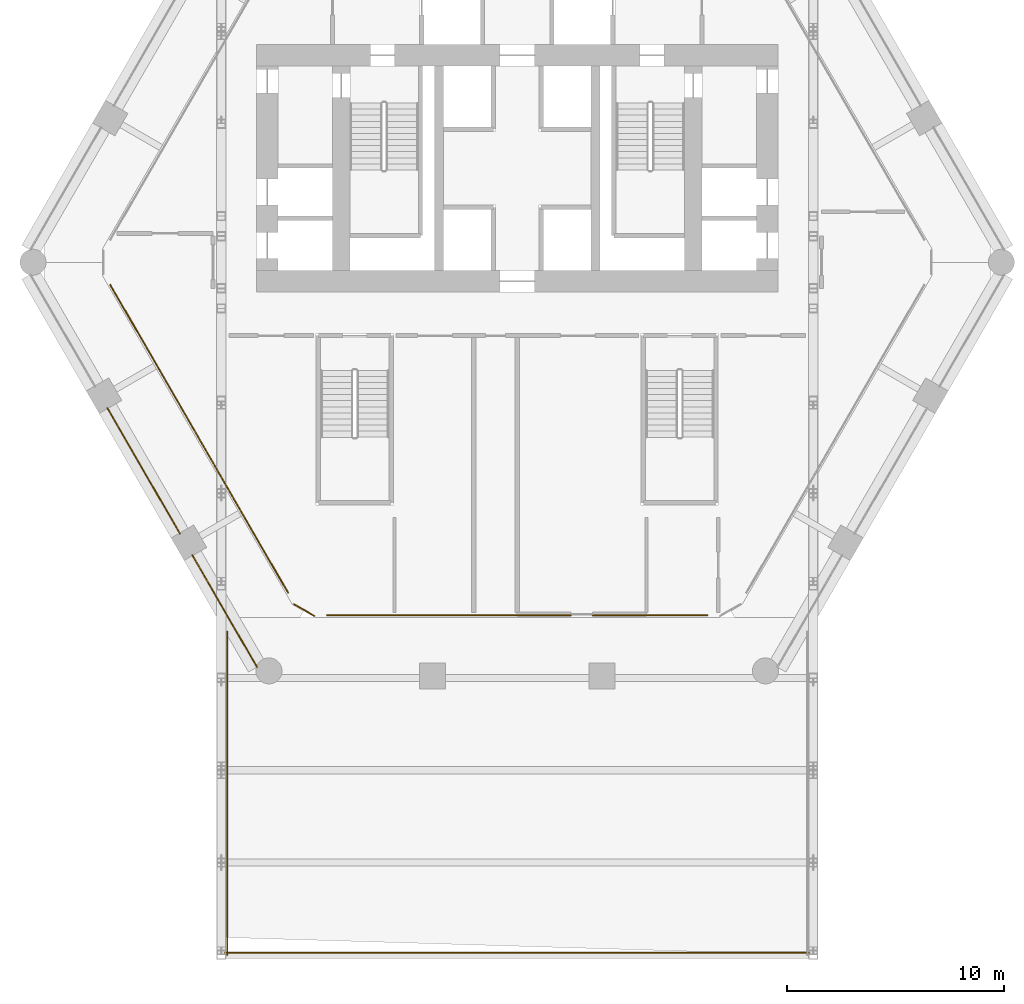
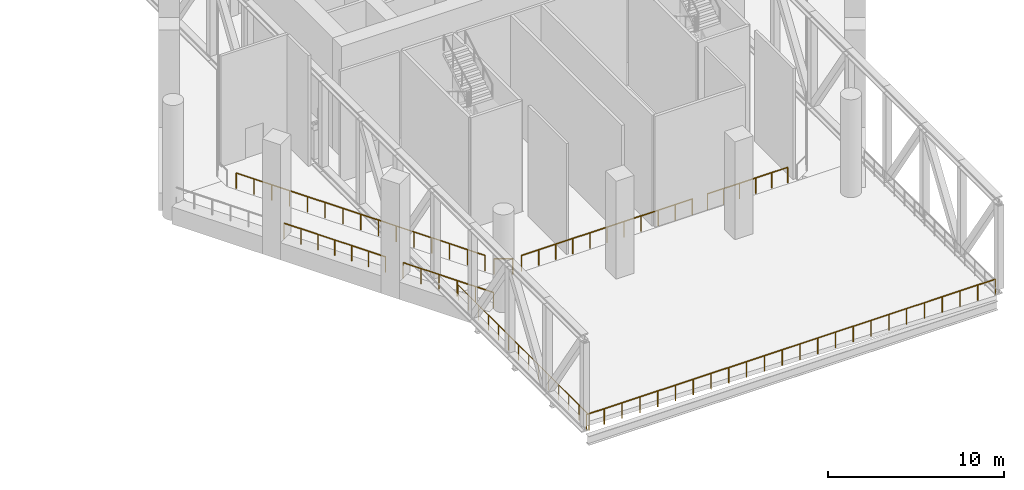
# One storey, part 12 of 16: 8 railings.
"""IFC4 building model written with IfcOpenShell, lengths in metres."""

from ifc_helpers import new_model, si_unit, direction, frame, origin, origin_2d, place, context, subcontext, project, spatial, circle, extrude, material, type_object, element, save


model = new_model("IFC4")

# Units and contexts
model_context = context("Model", 3, precision=1e-05, world=origin(), true_north=direction((0.0, 1.0)))
body_context = subcontext(model_context, "Body", "Model", "MODEL_VIEW")
ifc_project = project(units=[si_unit("LENGTHUNIT", "METRE"), si_unit("AREAUNIT", "SQUARE_METRE"), si_unit("VOLUMEUNIT", "CUBIC_METRE"), si_unit("PLANEANGLEUNIT", "RADIAN"), si_unit("MASSUNIT", "GRAM", prefix="KILO")], contexts=[model_context])

# Site, building, storey
site_placement = place(None, origin())
site = spatial("IfcSite", under=ifc_project, at=site_placement, CompositionType="ELEMENT")
building_placement = place(site_placement, origin())
building = spatial("IfcBuilding", under=site, at=building_placement, Name="Ostrander Bayou Hotel Tower", CompositionType="ELEMENT")
storey_placement = place(building_placement, frame((0.0, 0.0, 108.0)))
storey = spatial("IfcBuildingStorey", under=building, at=storey_placement, Name="L27", CompositionType="ELEMENT", Elevation=108.0)

# Railings
ifc_material = material(Name="Stainless steel and clear glass", Category="steel")
railing_type = type_object("IfcRailingType", Name="GR1 guard 1100 mm", PredefinedType="GUARDRAIL", material=ifc_material)
railing_1_placement = place(storey_placement, frame((-18.85888671875, -7.035400390625, 0.0)))
element("IfcRailing", 1, at=railing_1_placement, inside=storey, type_object=railing_type, Name="GR1 L27 SW-2 open band guard", PredefinedType="GUARDRAIL", context=body_context, shape_type="SweptSolid", body=[
    extrude(circle(Radius=0.02490234375, at=origin_2d()), frame((0.0, 0.0, 1.0751953125), z_axis=(0.499999023957, -0.866025967302, 0.0), x_axis=(0.866025967302, 0.499999023957, 0.0)), (0.0, 0.0, 1.0), 6.67333984375),
    extrude(circle(Radius=0.02001953125, at=origin_2d()), origin(), (0.0, 0.0, 1.0), 1.050048828125),
    extrude(circle(Radius=0.02001953125, at=origin_2d()), frame((0.55615234375, -0.963134765625, 0.0)), (0.0, 0.0, 1.0), 1.050048828125),
    extrude(circle(Radius=0.02001953125, at=origin_2d()), frame((1.1123046875, -1.926513671875, 0.0)), (0.0, 0.0, 1.0), 1.050048828125),
    extrude(circle(Radius=0.02001953125, at=origin_2d()), frame((1.66845703125, -2.8896484375, 0.0)), (0.0, 0.0, 1.0), 1.050048828125),
    extrude(circle(Radius=0.02001953125, at=origin_2d()), frame((2.224365234375, -3.852783203125, 0.0)), (0.0, 0.0, 1.0), 1.050048828125),
    extrude(circle(Radius=0.02001953125, at=origin_2d()), frame((2.780517578125, -4.816162109375, 0.0)), (0.0, 0.0, 1.0), 1.050048828125),
    extrude(circle(Radius=0.02001953125, at=origin_2d()), frame((3.336669921875, -5.779296875, 0.0)), (0.0, 0.0, 1.0), 1.050048828125),
])
railing_2_placement = place(storey_placement, frame((-14.9521484375, -13.802001953125, 0.0)))
element("IfcRailing", 2, at=railing_2_placement, inside=storey, type_object=railing_type, Name="GR1 L27 SW-3 open band guard", PredefinedType="GUARDRAIL", context=body_context, shape_type="SweptSolid", body=[
    extrude(circle(Radius=0.02490234375, at=origin_2d()), frame((0.0, 0.0, 1.0751953125), z_axis=(0.499988630717, -0.866031967744, 0.0), x_axis=(0.866031967744, 0.499988630717, 0.0)), (0.0, 0.0, 1.0), 5.954833984375),
    extrude(circle(Radius=0.02001953125, at=origin_2d()), origin(), (0.0, 0.0, 1.0), 1.050048828125),
    extrude(circle(Radius=0.02001953125, at=origin_2d()), frame((0.595458984375, -1.031494140625, 0.0)), (0.0, 0.0, 1.0), 1.050048828125),
    extrude(circle(Radius=0.02001953125, at=origin_2d()), frame((1.19091796875, -2.062744140625, 0.0)), (0.0, 0.0, 1.0), 1.050048828125),
    extrude(circle(Radius=0.02001953125, at=origin_2d()), frame((1.786376953125, -3.09423828125, 0.0)), (0.0, 0.0, 1.0), 1.050048828125),
    extrude(circle(Radius=0.02001953125, at=origin_2d()), frame((2.3818359375, -4.12548828125, 0.0)), (0.0, 0.0, 1.0), 1.050048828125),
    extrude(circle(Radius=0.02001953125, at=origin_2d()), frame((2.977294921875, -5.156982421875, 0.0)), (0.0, 0.0, 1.0), 1.050048828125),
])
railing_3_placement = place(storey_placement, frame((-10.26806640625, -16.065185546875, 0.0)))
element("IfcRailing", 3, at=railing_3_placement, inside=storey, type_object=railing_type, Name="GR1 L27 corner guard 3", PredefinedType="GUARDRAIL", context=body_context, shape_type="SweptSolid", body=[
    extrude(circle(Radius=0.02490234375, at=origin_2d()), frame((0.0, 0.0, 1.0751953125), z_axis=(0.866048165231, -0.499960573946, 0.0), x_axis=(0.499960573946, 0.866048165231, 0.0)), (0.0, 0.0, 1.0), 1.06494140625),
    extrude(circle(Radius=0.02001953125, at=origin_2d()), origin(), (0.0, 0.0, 1.0), 1.050048828125),
    extrude(circle(Radius=0.02001953125, at=origin_2d()), frame((0.92236328125, -0.532470703125, 0.0)), (0.0, 0.0, 1.0), 1.050048828125),
])
railing_4_placement = place(storey_placement, frame((-10.5458984375, -15.533935546875, 0.0)))
element("IfcRailing", 4, at=railing_4_placement, inside=storey, type_object=railing_type, Name="GR1 L27 edge guard 5", PredefinedType="GUARDRAIL", context=body_context, shape_type="SweptSolid", body=[
    extrude(circle(Radius=0.02490234375, at=origin_2d()), frame((0.0, 0.0, 1.0751953125), z_axis=(-0.500002341209, 0.866024052083, 0.0), x_axis=(-0.866024052083, -0.500002341209, 0.0)), (0.0, 0.0, 1.0), 16.35986328125),
    extrude(circle(Radius=0.02001953125, at=origin_2d()), origin(), (0.0, 0.0, 1.0), 1.050048828125),
    extrude(circle(Radius=0.02001953125, at=origin_2d()), frame((-0.584228515625, 1.011962890625, 0.0)), (0.0, 0.0, 1.0), 1.050048828125),
    extrude(circle(Radius=0.02001953125, at=origin_2d()), frame((-1.16845703125, 2.02392578125, 0.0)), (0.0, 0.0, 1.0), 1.050048828125),
    extrude(circle(Radius=0.02001953125, at=origin_2d()), frame((-1.7529296875, 3.035888671875, 0.0)), (0.0, 0.0, 1.0), 1.050048828125),
    extrude(circle(Radius=0.02001953125, at=origin_2d()), frame((-2.337158203125, 4.048095703125, 0.0)), (0.0, 0.0, 1.0), 1.050048828125),
    extrude(circle(Radius=0.02001953125, at=origin_2d()), frame((-2.92138671875, 5.06005859375, 0.0)), (0.0, 0.0, 1.0), 1.050048828125),
    extrude(circle(Radius=0.02001953125, at=origin_2d()), frame((-3.505615234375, 6.072021484375, 0.0)), (0.0, 0.0, 1.0), 1.050048828125),
    extrude(circle(Radius=0.02001953125, at=origin_2d()), frame((-4.08984375, 7.083984375, 0.0)), (0.0, 0.0, 1.0), 1.050048828125),
    extrude(circle(Radius=0.02001953125, at=origin_2d()), frame((-4.67431640625, 8.095947265625, 0.0)), (0.0, 0.0, 1.0), 1.050048828125),
    extrude(circle(Radius=0.02001953125, at=origin_2d()), frame((-5.258544921875, 9.10791015625, 0.0)), (0.0, 0.0, 1.0), 1.050048828125),
    extrude(circle(Radius=0.02001953125, at=origin_2d()), frame((-5.8427734375, 10.119873046875, 0.0)), (0.0, 0.0, 1.0), 1.050048828125),
    extrude(circle(Radius=0.02001953125, at=origin_2d()), frame((-6.427001953125, 11.132080078125, 0.0)), (0.0, 0.0, 1.0), 1.050048828125),
    extrude(circle(Radius=0.02001953125, at=origin_2d()), frame((-7.011474609375, 12.14404296875, 0.0)), (0.0, 0.0, 1.0), 1.050048828125),
    extrude(circle(Radius=0.02001953125, at=origin_2d()), frame((-7.595703125, 13.156005859375, 0.0)), (0.0, 0.0, 1.0), 1.050048828125),
    extrude(circle(Radius=0.02001953125, at=origin_2d()), frame((-8.179931640625, 14.16796875, 0.0)), (0.0, 0.0, 1.0), 1.050048828125),
])
railing_5_placement = place(storey_placement, frame((-13.34228515625, -17.3173828125, 0.0)))
element("IfcRailing", 5, at=railing_5_placement, inside=storey, type_object=railing_type, Name="GR1 bar roof guard SB2 2", PredefinedType="GUARDRAIL", context=body_context, shape_type="SweptSolid", body=[
    extrude(circle(Radius=0.02490234375, at=origin_2d()), frame((0.0, 0.0, 1.0751953125), z_axis=(0.0, -1.0, 0.0), x_axis=(1.0, 0.0, 0.0)), (0.0, 0.0, 1.0), 14.882568359375),
    extrude(circle(Radius=0.02001953125, at=origin_2d()), origin(), (0.0, 0.0, 1.0), 1.050048828125),
    extrude(circle(Radius=0.02001953125, at=origin_2d()), frame((0.0, -1.144775390625, 0.0)), (0.0, 0.0, 1.0), 1.050048828125),
    extrude(circle(Radius=0.02001953125, at=origin_2d()), frame((0.0, -2.28955078125, 0.0)), (0.0, 0.0, 1.0), 1.050048828125),
    extrude(circle(Radius=0.02001953125, at=origin_2d()), frame((0.0, -3.434326171875, 0.0)), (0.0, 0.0, 1.0), 1.050048828125),
    extrude(circle(Radius=0.02001953125, at=origin_2d()), frame((0.0, -4.579345703125, 0.0)), (0.0, 0.0, 1.0), 1.050048828125),
    extrude(circle(Radius=0.02001953125, at=origin_2d()), frame((0.0, -5.72412109375, 0.0)), (0.0, 0.0, 1.0), 1.050048828125),
    extrude(circle(Radius=0.02001953125, at=origin_2d()), frame((0.0, -6.868896484375, 0.0)), (0.0, 0.0, 1.0), 1.050048828125),
    extrude(circle(Radius=0.02001953125, at=origin_2d()), frame((0.0, -8.013671875, 0.0)), (0.0, 0.0, 1.0), 1.050048828125),
    extrude(circle(Radius=0.02001953125, at=origin_2d()), frame((0.0, -9.158447265625, 0.0)), (0.0, 0.0, 1.0), 1.050048828125),
    extrude(circle(Radius=0.02001953125, at=origin_2d()), frame((0.0, -10.30322265625, 0.0)), (0.0, 0.0, 1.0), 1.050048828125),
    extrude(circle(Radius=0.02001953125, at=origin_2d()), frame((0.0, -11.4482421875, 0.0)), (0.0, 0.0, 1.0), 1.050048828125),
    extrude(circle(Radius=0.02001953125, at=origin_2d()), frame((0.0, -12.593017578125, 0.0)), (0.0, 0.0, 1.0), 1.050048828125),
    extrude(circle(Radius=0.02001953125, at=origin_2d()), frame((0.0, -13.73779296875, 0.0)), (0.0, 0.0, 1.0), 1.050048828125),
    extrude(circle(Radius=0.02001953125, at=origin_2d()), frame((0.0, -14.882568359375, 0.0)), (0.0, 0.0, 1.0), 1.050048828125),
])
railing_6_placement = place(storey_placement, frame((-13.442138671875, -32.10009765625, 0.0)))
element("IfcRailing", 6, at=railing_6_placement, inside=storey, type_object=railing_type, Name="GR1 bar roof guard SB2 3", PredefinedType="GUARDRAIL", context=body_context, shape_type="SweptSolid", body=[
    extrude(circle(Radius=0.02490234375, at=origin_2d()), frame((0.0, 0.0, 1.0751953125), z_axis=(1.0, 0.0, 0.0), x_axis=(0.0, 1.0, 0.0)), (0.0, 0.0, 1.0), 26.88427734375),
    extrude(circle(Radius=0.02001953125, at=origin_2d()), origin(), (0.0, 0.0, 1.0), 1.050048828125),
    extrude(circle(Radius=0.02001953125, at=origin_2d()), frame((1.1689453125, 0.0, 0.0)), (0.0, 0.0, 1.0), 1.050048828125),
    extrude(circle(Radius=0.02001953125, at=origin_2d()), frame((2.337646484375, 0.0, 0.0)), (0.0, 0.0, 1.0), 1.050048828125),
    extrude(circle(Radius=0.02001953125, at=origin_2d()), frame((3.506591796875, 0.0, 0.0)), (0.0, 0.0, 1.0), 1.050048828125),
    extrude(circle(Radius=0.02001953125, at=origin_2d()), frame((4.675537109375, 0.0, 0.0)), (0.0, 0.0, 1.0), 1.050048828125),
    extrude(circle(Radius=0.02001953125, at=origin_2d()), frame((5.844482421875, 0.0, 0.0)), (0.0, 0.0, 1.0), 1.050048828125),
    extrude(circle(Radius=0.02001953125, at=origin_2d()), frame((7.01318359375, 0.0, 0.0)), (0.0, 0.0, 1.0), 1.050048828125),
    extrude(circle(Radius=0.02001953125, at=origin_2d()), frame((8.18212890625, 0.0, 0.0)), (0.0, 0.0, 1.0), 1.050048828125),
    extrude(circle(Radius=0.02001953125, at=origin_2d()), frame((9.35107421875, 0.0, 0.0)), (0.0, 0.0, 1.0), 1.050048828125),
    extrude(circle(Radius=0.02001953125, at=origin_2d()), frame((10.52001953125, 0.0, 0.0)), (0.0, 0.0, 1.0), 1.050048828125),
    extrude(circle(Radius=0.02001953125, at=origin_2d()), frame((11.688720703125, 0.0, 0.0)), (0.0, 0.0, 1.0), 1.050048828125),
    extrude(circle(Radius=0.02001953125, at=origin_2d()), frame((12.857666015625, 0.0, 0.0)), (0.0, 0.0, 1.0), 1.050048828125),
    extrude(circle(Radius=0.02001953125, at=origin_2d()), frame((14.026611328125, 0.0, 0.0)), (0.0, 0.0, 1.0), 1.050048828125),
    extrude(circle(Radius=0.02001953125, at=origin_2d()), frame((15.195556640625, 0.0, 0.0)), (0.0, 0.0, 1.0), 1.050048828125),
    extrude(circle(Radius=0.02001953125, at=origin_2d()), frame((16.3642578125, 0.0, 0.0)), (0.0, 0.0, 1.0), 1.050048828125),
    extrude(circle(Radius=0.02001953125, at=origin_2d()), frame((17.533203125, 0.0, 0.0)), (0.0, 0.0, 1.0), 1.050048828125),
    extrude(circle(Radius=0.02001953125, at=origin_2d()), frame((18.7021484375, 0.0, 0.0)), (0.0, 0.0, 1.0), 1.050048828125),
    extrude(circle(Radius=0.02001953125, at=origin_2d()), frame((19.87109375, 0.0, 0.0)), (0.0, 0.0, 1.0), 1.050048828125),
    extrude(circle(Radius=0.02001953125, at=origin_2d()), frame((21.039794921875, 0.0, 0.0)), (0.0, 0.0, 1.0), 1.050048828125),
    extrude(circle(Radius=0.02001953125, at=origin_2d()), frame((22.208740234375, 0.0, 0.0)), (0.0, 0.0, 1.0), 1.050048828125),
    extrude(circle(Radius=0.02001953125, at=origin_2d()), frame((23.377685546875, 0.0, 0.0)), (0.0, 0.0, 1.0), 1.050048828125),
    extrude(circle(Radius=0.02001953125, at=origin_2d()), frame((24.546630859375, 0.0, 0.0)), (0.0, 0.0, 1.0), 1.050048828125),
    extrude(circle(Radius=0.02001953125, at=origin_2d()), frame((25.71533203125, 0.0, 0.0)), (0.0, 0.0, 1.0), 1.050048828125),
    extrude(circle(Radius=0.02001953125, at=origin_2d()), frame((26.88427734375, 0.0, 0.0)), (0.0, 0.0, 1.0), 1.050048828125),
])
railing_7_placement = place(storey_placement, frame((8.746826171875, -16.57275390625, 0.0)))
element("IfcRailing", 7, at=railing_7_placement, inside=storey, type_object=railing_type, Name="GR1 L27 edge guard 4", PredefinedType="GUARDRAIL", context=body_context, shape_type="SweptSolid", body=[
    extrude(circle(Radius=0.02490234375, at=origin_2d()), frame((0.0, 0.0, 1.0751953125), z_axis=(-1.0, 0.0, 0.0), x_axis=(0.0, -1.0, 0.0)), (0.0, 0.0, 1.0), 5.271728515625),
    extrude(circle(Radius=0.02001953125, at=origin_2d()), origin(), (0.0, 0.0, 1.0), 1.050048828125),
    extrude(circle(Radius=0.02001953125, at=origin_2d()), frame((-1.054443359375, 0.0, 0.0)), (0.0, 0.0, 1.0), 1.050048828125),
    extrude(circle(Radius=0.02001953125, at=origin_2d()), frame((-2.108642578125, 0.0, 0.0)), (0.0, 0.0, 1.0), 1.050048828125),
    extrude(circle(Radius=0.02001953125, at=origin_2d()), frame((-3.1630859375, 0.0, 0.0)), (0.0, 0.0, 1.0), 1.050048828125),
    extrude(circle(Radius=0.02001953125, at=origin_2d()), frame((-4.21728515625, 0.0, 0.0)), (0.0, 0.0, 1.0), 1.050048828125),
    extrude(circle(Radius=0.02001953125, at=origin_2d()), frame((-5.271728515625, 0.0, 0.0)), (0.0, 0.0, 1.0), 1.050048828125),
])
railing_8_placement = place(storey_placement, frame((2.47509765625, -16.57275390625, 0.0)))
element("IfcRailing", 8, at=railing_8_placement, inside=storey, type_object=railing_type, Name="GR1 L27 edge guard 4", PredefinedType="GUARDRAIL", context=body_context, shape_type="SweptSolid", body=[
    extrude(circle(Radius=0.02490234375, at=origin_2d()), frame((0.0, 0.0, 1.0751953125), z_axis=(-1.0, 0.0, 0.0), x_axis=(0.0, -1.0, 0.0)), (0.0, 0.0, 1.0), 11.221923828125),
    extrude(circle(Radius=0.02001953125, at=origin_2d()), origin(), (0.0, 0.0, 1.0), 1.050048828125),
    extrude(circle(Radius=0.02001953125, at=origin_2d()), frame((-1.1220703125, 0.0, 0.0)), (0.0, 0.0, 1.0), 1.050048828125),
    extrude(circle(Radius=0.02001953125, at=origin_2d()), frame((-2.244384765625, 0.0, 0.0)), (0.0, 0.0, 1.0), 1.050048828125),
    extrude(circle(Radius=0.02001953125, at=origin_2d()), frame((-3.36669921875, 0.0, 0.0)), (0.0, 0.0, 1.0), 1.050048828125),
    extrude(circle(Radius=0.02001953125, at=origin_2d()), frame((-4.48876953125, 0.0, 0.0)), (0.0, 0.0, 1.0), 1.050048828125),
    extrude(circle(Radius=0.02001953125, at=origin_2d()), frame((-5.61083984375, 0.0, 0.0)), (0.0, 0.0, 1.0), 1.050048828125),
    extrude(circle(Radius=0.02001953125, at=origin_2d()), frame((-6.733154296875, 0.0, 0.0)), (0.0, 0.0, 1.0), 1.050048828125),
    extrude(circle(Radius=0.02001953125, at=origin_2d()), frame((-7.855224609375, 0.0, 0.0)), (0.0, 0.0, 1.0), 1.050048828125),
    extrude(circle(Radius=0.02001953125, at=origin_2d()), frame((-8.9775390625, 0.0, 0.0)), (0.0, 0.0, 1.0), 1.050048828125),
    extrude(circle(Radius=0.02001953125, at=origin_2d()), frame((-10.099609375, 0.0, 0.0)), (0.0, 0.0, 1.0), 1.050048828125),
    extrude(circle(Radius=0.02001953125, at=origin_2d()), frame((-11.221923828125, 0.0, 0.0)), (0.0, 0.0, 1.0), 1.050048828125),
])

save(model, "model.ifc")
